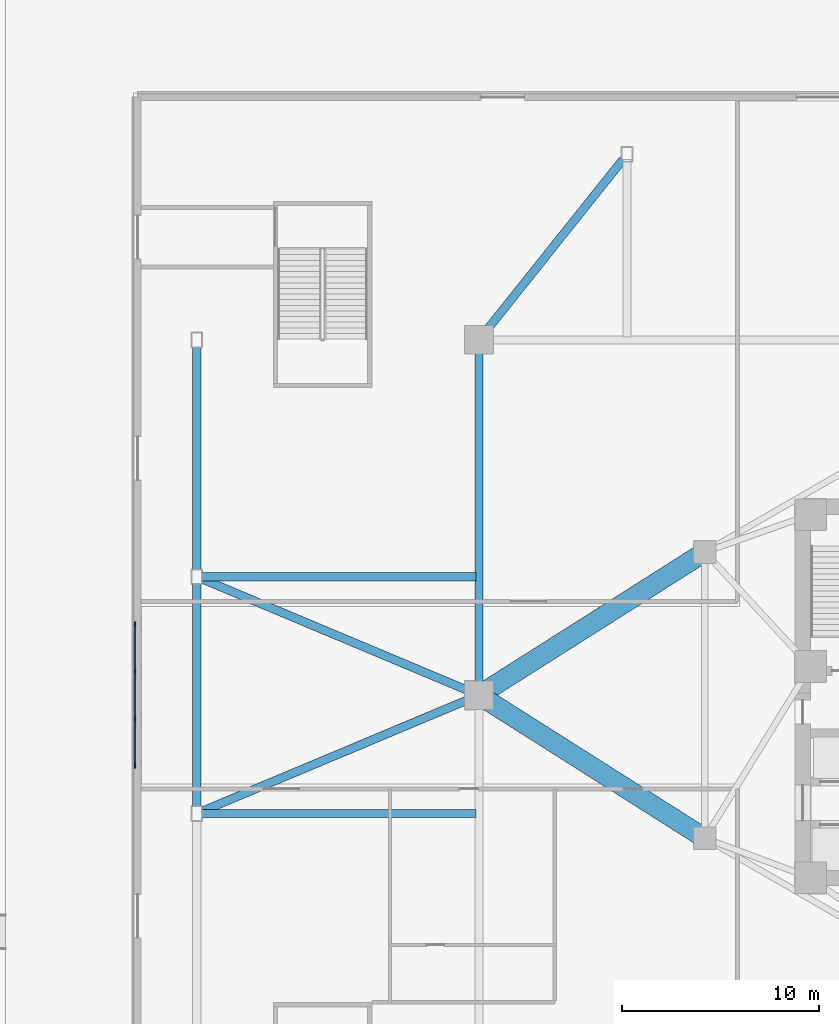
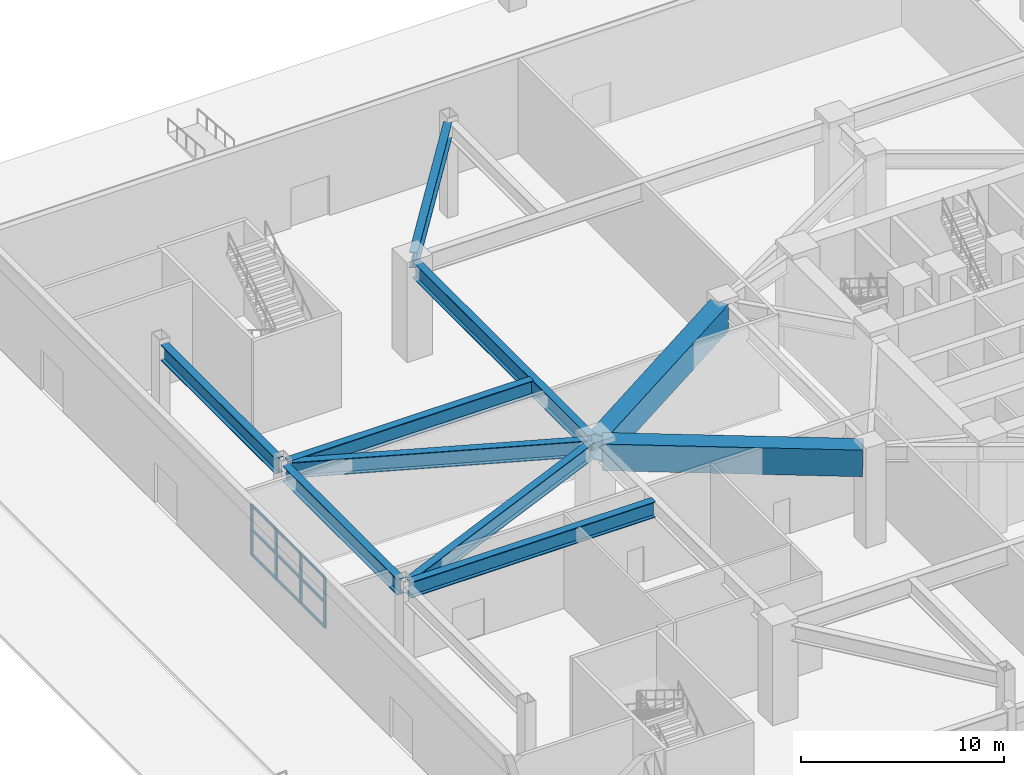
# One storey, part 4 of 24: 13 members, 10 beams, 1 element without a shape of its own.
"""IFC4 building model written with IfcOpenShell, lengths in metres."""

from ifc_helpers import new_model, si_unit, direction, frame, origin, origin_2d, place, context, subcontext, project, spatial, rectangle, hollow_rectangle, i_section, extrude, material, layer, layer_set, material_profile, profile_set, type_object, element, aggregate, save


model = new_model("IFC4")

# Units and contexts
model_context = context("Model", 3, precision=1e-05, world=origin(), true_north=direction((0.0, 1.0)))
body_context = subcontext(model_context, "Body", "Model", "MODEL_VIEW")
ifc_project = project(units=[si_unit("LENGTHUNIT", "METRE"), si_unit("AREAUNIT", "SQUARE_METRE"), si_unit("VOLUMEUNIT", "CUBIC_METRE"), si_unit("PLANEANGLEUNIT", "RADIAN"), si_unit("MASSUNIT", "GRAM", prefix="KILO")], contexts=[model_context])

# Site, building, storey
site_placement = place(None, origin())
site = spatial("IfcSite", under=ifc_project, at=site_placement, CompositionType="ELEMENT")
building_placement = place(site_placement, origin())
building = spatial("IfcBuilding", under=site, at=building_placement, Name="Apsidion Concourse Tower", CompositionType="ELEMENT")
storey_placement = place(building_placement, origin())
storey = spatial("IfcBuildingStorey", under=building, at=storey_placement, Name="L00", CompositionType="ELEMENT", Elevation=0.0)

# Beams
ifc_material_1 = material(Name="Structural steel ASTM A992 Grade 50", Category="steel")
ifc_material_profile_1 = material_profile(ifc_material_1, i_section(OverallWidth=0.423095703125, OverallDepth=0.947998046875, WebThickness=0.02392578125, FlangeThickness=0.042724609375, at=origin_2d()), Name="W36X302")
ifc_profile_set_1 = profile_set([ifc_material_profile_1], Name="Structural steel ASTM A992 Grade 50")
beam_type_1 = type_object("IfcBeamType", Name="BM-G-W36H", PredefinedType="USERDEFINED", material=ifc_profile_set_1)
beam_1_placement = place(storey_placement, frame((-38.050048828125, -6.0, 5.22607421875), z_axis=(1.0, 0.0, 0.0), x_axis=(0.0, 1.0, 0.0)))
element("IfcBeam", 1, at=beam_1_placement, inside=storey, type_object=beam_type_1, Name="L00 Podium Radial Frame Girder PC02", ObjectType="GIRDER", PredefinedType="USERDEFINED", context=body_context, shape_type="SweptSolid", body=[
    extrude(i_section(OverallWidth=0.423095703125, OverallDepth=0.947998046875, WebThickness=0.02392578125, FlangeThickness=0.042724609375, at=origin_2d()), origin(), (0.0, 0.0, 1.0), 13.900146484375),
])
beam_2_placement = place(storey_placement, frame((-37.977294921875, -5.864501953125, 5.22607421875), z_axis=(0.92212437548, 0.386893572118, 0.0), x_axis=(-0.386893572118, 0.92212437548, 0.0)))
element("IfcBeam", 2, at=beam_2_placement, inside=storey, type_object=beam_type_1, Name="L00 Podium Diagonal Frame Tie PC02", ObjectType="GIRDER", PredefinedType="USERDEFINED", context=body_context, shape_type="SweptSolid", body=[
    extrude(i_section(OverallWidth=0.423095703125, OverallDepth=0.947998046875, WebThickness=0.02392578125, FlangeThickness=0.042724609375, at=origin_2d()), origin(), (0.0, 0.0, 1.0), 14.8076171875),
])
beam_3_placement = place(storey_placement, frame((-38.050048828125, 6.0, 5.22607421875), z_axis=(1.0, 0.0, 0.0), x_axis=(0.0, 1.0, 0.0)))
element("IfcBeam", 3, at=beam_3_placement, inside=storey, type_object=beam_type_1, Name="L00 Podium Radial Frame Girder PC03", ObjectType="GIRDER", PredefinedType="USERDEFINED", context=body_context, shape_type="SweptSolid", body=[
    extrude(i_section(OverallWidth=0.423095703125, OverallDepth=0.947998046875, WebThickness=0.02392578125, FlangeThickness=0.042724609375, at=origin_2d()), origin(), (0.0, 0.0, 1.0), 13.900146484375),
])
beam_4_placement = place(storey_placement, frame((-37.977294921875, 5.864501953125, 5.22607421875), z_axis=(0.92212437548, -0.386893572118, 0.0), x_axis=(0.386893572118, 0.92212437548, 0.0)))
element("IfcBeam", 4, at=beam_4_placement, inside=storey, type_object=beam_type_1, Name="L00 Podium Diagonal Frame Tie PC03", ObjectType="GIRDER", PredefinedType="USERDEFINED", context=body_context, shape_type="SweptSolid", body=[
    extrude(i_section(OverallWidth=0.423095703125, OverallDepth=0.947998046875, WebThickness=0.02392578125, FlangeThickness=0.042724609375, at=origin_2d()), origin(), (0.0, 0.0, 1.0), 14.8076171875),
])
beam_5_placement = place(storey_placement, frame((-16.71826171875, 27.12646484375, 5.22607421875), z_axis=(-0.623685030382, -0.781675753031, 0.0), x_axis=(0.781675753031, -0.623685030382, 0.0)))
element("IfcBeam", 5, at=beam_5_placement, inside=storey, type_object=beam_type_1, Name="L00 Podium Diagonal Frame Tie PC11", ObjectType="GIRDER", PredefinedType="USERDEFINED", context=body_context, shape_type="SweptSolid", body=[
    extrude(i_section(OverallWidth=0.423095703125, OverallDepth=0.947998046875, WebThickness=0.02392578125, FlangeThickness=0.042724609375, at=origin_2d()), origin(), (0.0, 0.0, 1.0), 11.325439453125),
])
for number, where, z_axis, x_axis, name in (
    (6, (-38.300048828125, -5.64990234375, 5.22607421875), (0.0, 1.0, 0.0), (-1.0, 0.0, 0.0), "L00 Podium Spandrel Girder PC02-PC03"),
    (7, (-38.300048828125, 6.35009765625, 5.22607421875), (0.0, 1.0, 0.0), (-1.0, 0.0, 0.0), "L00 Podium Spandrel Girder PC03-PC04"),
):
    element("IfcBeam", number, at=place(storey_placement, frame(where, z_axis=z_axis, x_axis=x_axis)), inside=storey, type_object=beam_type_1, Name=name, ObjectType="GIRDER", PredefinedType="USERDEFINED", context=body_context, shape_type="SweptSolid", body=[
        extrude(i_section(OverallWidth=0.423095703125, OverallDepth=0.947998046875, WebThickness=0.02392578125, FlangeThickness=0.042724609375, at=origin_2d()), origin(), (0.0, 0.0, 1.0), 11.2998046875),
    ])
ifc_material_profile_2 = material_profile(ifc_material_1, i_section(OverallWidth=0.402099609375, OverallDepth=1.008056640625, WebThickness=0.02099609375, FlangeThickness=0.0400390625, at=origin_2d()), Name="W40X277")
ifc_profile_set_2 = profile_set([ifc_material_profile_2], Name="Structural steel ASTM A992 Grade 50")
beam_type_2 = type_object("IfcBeamType", Name="BM-G-W40", PredefinedType="USERDEFINED", material=ifc_profile_set_2)
beam_6_placement = place(storey_placement, frame((-24.0, 0.35009765625, 5.196044921875), z_axis=(0.0, 1.0, 0.0), x_axis=(-1.0, 0.0, 0.0)))
element("IfcBeam", 8, at=beam_6_placement, inside=storey, type_object=beam_type_2, Name="L00 Podium Girder MC3-MC5", ObjectType="GIRDER", PredefinedType="USERDEFINED", context=body_context, shape_type="SweptSolid", body=[
    extrude(i_section(OverallWidth=0.402099609375, OverallDepth=1.008056640625, WebThickness=0.02099609375, FlangeThickness=0.0400390625, at=origin_2d()), origin(), (0.0, 0.0, 1.0), 17.2998046875),
])
ifc_material_2 = material(Name="Structural steel ASTM A572 Grade 50", Category="steel")
ifc_material_profile_3 = material_profile(ifc_material_2, hollow_rectangle(XDim=1.0, YDim=1.60009765625, WallThickness=0.074951171875, at=origin_2d()), Name="BOX1600X1000X75")
ifc_profile_set_3 = profile_set([ifc_material_profile_3], Name="Structural steel ASTM A572 Grade 50")
beam_type_3 = type_object("IfcBeamType", Name="BM-TR-1600", PredefinedType="USERDEFINED", material=ifc_profile_set_3)
for number, where, z_axis, x_axis, name in (
    (9, (-23.704345703125, -0.1875, 4.89990234375), (0.844671254714, -0.535285411215, 0.0), (0.535285411215, 0.844671254714, 0.0), "L00 Podium Girder MC3-IC1"),
    (10, (-23.704345703125, 0.1875, 4.89990234375), (0.844671254714, 0.535285411215, 0.0), (-0.535285411215, 0.844671254714, 0.0), "L00 Podium Girder MC3-IC5"),
):
    element("IfcBeam", number, at=place(storey_placement, frame(where, z_axis=z_axis, x_axis=x_axis)), inside=storey, type_object=beam_type_3, Name=name, ObjectType="GIRDER", PredefinedType="USERDEFINED", context=body_context, shape_type="SweptSolid", body=[
        extrude(hollow_rectangle(XDim=1.0, YDim=1.60009765625, WallThickness=0.074951171875, at=origin_2d()), origin(), (0.0, 0.0, 1.0), 12.843505859375),
    ])

# Curtain wall, members
ifc_material_3 = material(Name="Insulated laminated low-E glass", Category="glass")
ifc_layer = layer(ifc_material_3, 0.18994140625)
ifc_layer_set = layer_set([ifc_layer], Name="Insulated laminated low-E glass")
curtain_wall_type = type_object("IfcCurtainWallType", Name="CW-SYS-01", PredefinedType="NOTDEFINED", material=ifc_layer_set)
curtain_wall_placement = place(storey_placement, origin())
curtain_wall = element("IfcCurtainWall", 11, at=curtain_wall_placement, inside=storey, type_object=curtain_wall_type, Name="L00 Podium Glazed Curtain Wall W", PredefinedType="NOTDEFINED")
ifc_material_4 = material(Name="Anodised aluminium EN AW-6063 T6", Category="aluminium")
ifc_material_profile_4 = material_profile(ifc_material_4, rectangle(XDim=0.074951171875, YDim=0.219970703125, at=origin_2d()), Name="ALU MULLION 75x220")
ifc_profile_set_4 = profile_set([ifc_material_profile_4], Name="Anodised aluminium EN AW-6063 T6")
member_type_1 = type_object("IfcMemberType", Name="CWM-75X220", PredefinedType="MULLION", material=ifc_profile_set_4)
member_1_placement = place(storey_placement, frame((-41.43994140625, -3.598388671875, 2.60009765625), z_axis=(0.0, 0.0, 1.0), x_axis=(-1.0, 0.0, 0.0)))
member_1 = element("IfcMember", 12, at=member_1_placement, type_object=member_type_1, Name="CW-01 mullion 1", PredefinedType="MULLION", context=body_context, shape_type="SweptSolid", body=[
    extrude(rectangle(XDim=0.074951171875, YDim=0.219970703125, at=origin_2d()), origin(), (0.0, 0.0, 1.0), 3.0498046875),
])
member_2_placement = place(storey_placement, frame((-41.43994140625, -1.2119140625, 2.60009765625), z_axis=(0.0, 0.0, 1.0), x_axis=(-1.0, 0.0, 0.0)))
member_2 = element("IfcMember", 13, at=member_2_placement, type_object=member_type_1, Name="CW-01 mullion 2", PredefinedType="MULLION", context=body_context, shape_type="SweptSolid", body=[
    extrude(rectangle(XDim=0.074951171875, YDim=0.219970703125, at=origin_2d()), origin(), (0.0, 0.0, 1.0), 3.0498046875),
])
member_3_placement = place(storey_placement, frame((-41.43994140625, 1.2119140625, 2.60009765625), z_axis=(0.0, 0.0, 1.0), x_axis=(-1.0, 0.0, 0.0)))
member_3 = element("IfcMember", 14, at=member_3_placement, type_object=member_type_1, Name="CW-01 mullion 3", PredefinedType="MULLION", context=body_context, shape_type="SweptSolid", body=[
    extrude(rectangle(XDim=0.074951171875, YDim=0.219970703125, at=origin_2d()), origin(), (0.0, 0.0, 1.0), 3.0498046875),
])
member_4_placement = place(storey_placement, frame((-41.43994140625, 3.598388671875, 2.60009765625), z_axis=(0.0, 0.0, 1.0), x_axis=(-1.0, 0.0, 0.0)))
member_4 = element("IfcMember", 15, at=member_4_placement, type_object=member_type_1, Name="CW-01 mullion 4", PredefinedType="MULLION", context=body_context, shape_type="SweptSolid", body=[
    extrude(rectangle(XDim=0.074951171875, YDim=0.219970703125, at=origin_2d()), origin(), (0.0, 0.0, 1.0), 3.0498046875),
])
ifc_material_profile_5 = material_profile(ifc_material_4, rectangle(XDim=0.074951171875, YDim=0.159912109375, at=origin_2d()), Name="ALU TRANSOM 75x160")
ifc_profile_set_5 = profile_set([ifc_material_profile_5], Name="Anodised aluminium EN AW-6063 T6")
member_type_2 = type_object("IfcMemberType", Name="CWT-75X160", PredefinedType="USERDEFINED", material=ifc_profile_set_5)
member_5_placement = place(storey_placement, frame((-41.43994140625, -3.56103515625, 2.637451171875), z_axis=(0.0, 1.0, 0.0), x_axis=(-1.0, 0.0, 0.0)))
member_5 = element("IfcMember", 16, at=member_5_placement, type_object=member_type_2, Name="CW-01 transom 1.1", ObjectType="TRANSOM", PredefinedType="USERDEFINED", context=body_context, shape_type="SweptSolid", body=[
    extrude(rectangle(XDim=0.074951171875, YDim=0.159912109375, at=origin_2d()), origin(), (0.0, 0.0, 1.0), 2.3115234375),
])
member_6_placement = place(storey_placement, frame((-41.43994140625, -3.56103515625, 4.125), z_axis=(0.0, 1.0, 0.0), x_axis=(-1.0, 0.0, 0.0)))
member_6 = element("IfcMember", 17, at=member_6_placement, type_object=member_type_2, Name="CW-01 transom 1.2", ObjectType="TRANSOM", PredefinedType="USERDEFINED", context=body_context, shape_type="SweptSolid", body=[
    extrude(rectangle(XDim=0.074951171875, YDim=0.159912109375, at=origin_2d()), origin(), (0.0, 0.0, 1.0), 2.3115234375),
])
member_7_placement = place(storey_placement, frame((-41.43994140625, -3.56103515625, 5.612548828125), z_axis=(0.0, 1.0, 0.0), x_axis=(-1.0, 0.0, 0.0)))
member_7 = element("IfcMember", 18, at=member_7_placement, type_object=member_type_2, Name="CW-01 transom 1.3", ObjectType="TRANSOM", PredefinedType="USERDEFINED", context=body_context, shape_type="SweptSolid", body=[
    extrude(rectangle(XDim=0.074951171875, YDim=0.159912109375, at=origin_2d()), origin(), (0.0, 0.0, 1.0), 2.3115234375),
])
member_8_placement = place(storey_placement, frame((-41.43994140625, -1.174560546875, 2.637451171875), z_axis=(0.0, 1.0, 0.0), x_axis=(-1.0, 0.0, 0.0)))
member_8 = element("IfcMember", 19, at=member_8_placement, type_object=member_type_2, Name="CW-01 transom 2.1", ObjectType="TRANSOM", PredefinedType="USERDEFINED", context=body_context, shape_type="SweptSolid", body=[
    extrude(rectangle(XDim=0.074951171875, YDim=0.159912109375, at=origin_2d()), origin(), (0.0, 0.0, 1.0), 2.34912109375),
])
member_9_placement = place(storey_placement, frame((-41.43994140625, -1.174560546875, 4.125), z_axis=(0.0, 1.0, 0.0), x_axis=(-1.0, 0.0, 0.0)))
member_9 = element("IfcMember", 20, at=member_9_placement, type_object=member_type_2, Name="CW-01 transom 2.2", ObjectType="TRANSOM", PredefinedType="USERDEFINED", context=body_context, shape_type="SweptSolid", body=[
    extrude(rectangle(XDim=0.074951171875, YDim=0.159912109375, at=origin_2d()), origin(), (0.0, 0.0, 1.0), 2.34912109375),
])
member_10_placement = place(storey_placement, frame((-41.43994140625, -1.174560546875, 5.612548828125), z_axis=(0.0, 1.0, 0.0), x_axis=(-1.0, 0.0, 0.0)))
member_10 = element("IfcMember", 21, at=member_10_placement, type_object=member_type_2, Name="CW-01 transom 2.3", ObjectType="TRANSOM", PredefinedType="USERDEFINED", context=body_context, shape_type="SweptSolid", body=[
    extrude(rectangle(XDim=0.074951171875, YDim=0.159912109375, at=origin_2d()), origin(), (0.0, 0.0, 1.0), 2.34912109375),
])
member_11_placement = place(storey_placement, frame((-41.43994140625, 1.24951171875, 2.637451171875), z_axis=(0.0, 1.0, 0.0), x_axis=(-1.0, 0.0, 0.0)))
member_11 = element("IfcMember", 22, at=member_11_placement, type_object=member_type_2, Name="CW-01 transom 3.1", ObjectType="TRANSOM", PredefinedType="USERDEFINED", context=body_context, shape_type="SweptSolid", body=[
    extrude(rectangle(XDim=0.074951171875, YDim=0.159912109375, at=origin_2d()), origin(), (0.0, 0.0, 1.0), 2.3115234375),
])
member_12_placement = place(storey_placement, frame((-41.43994140625, 1.24951171875, 4.125), z_axis=(0.0, 1.0, 0.0), x_axis=(-1.0, 0.0, 0.0)))
member_12 = element("IfcMember", 23, at=member_12_placement, type_object=member_type_2, Name="CW-01 transom 3.2", ObjectType="TRANSOM", PredefinedType="USERDEFINED", context=body_context, shape_type="SweptSolid", body=[
    extrude(rectangle(XDim=0.074951171875, YDim=0.159912109375, at=origin_2d()), origin(), (0.0, 0.0, 1.0), 2.3115234375),
])
member_13_placement = place(storey_placement, frame((-41.43994140625, 1.24951171875, 5.612548828125), z_axis=(0.0, 1.0, 0.0), x_axis=(-1.0, 0.0, 0.0)))
member_13 = element("IfcMember", 24, at=member_13_placement, type_object=member_type_2, Name="CW-01 transom 3.3", ObjectType="TRANSOM", PredefinedType="USERDEFINED", context=body_context, shape_type="SweptSolid", body=[
    extrude(rectangle(XDim=0.074951171875, YDim=0.159912109375, at=origin_2d()), origin(), (0.0, 0.0, 1.0), 2.3115234375),
])
aggregate(curtain_wall, [member_1, member_2, member_3, member_4, member_5, member_6, member_7, member_8, member_9, member_10, member_11, member_12, member_13])

save(model, "model.ifc")
